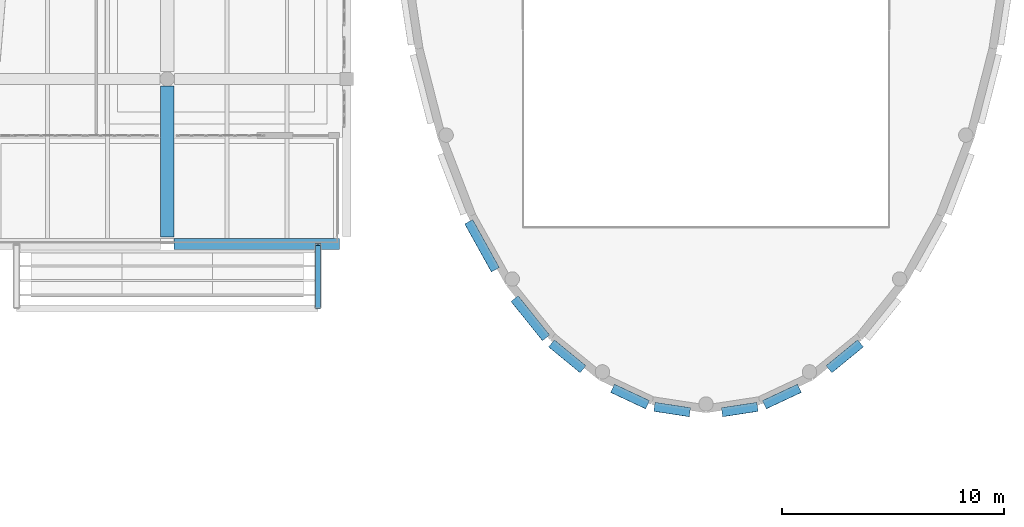
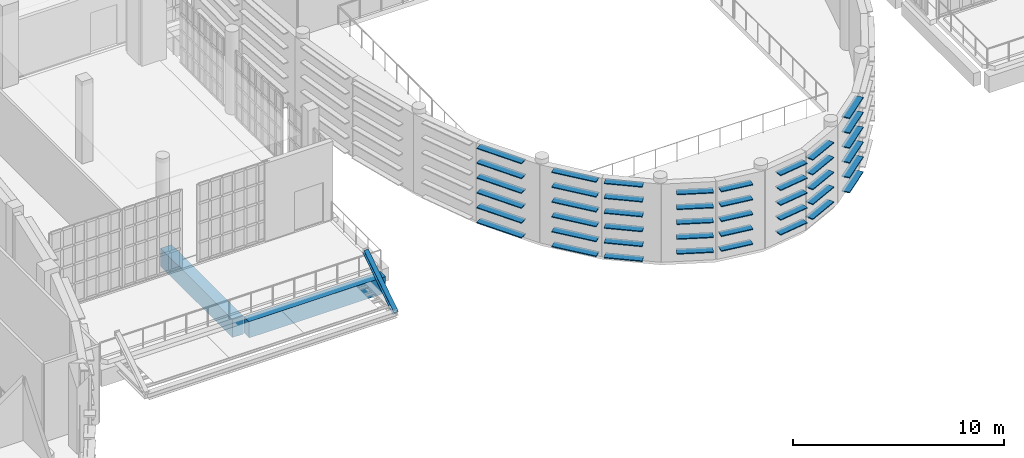
# One storey, part 22 of 104: 45 members, 2 beams.
"""IFC4 building model written with IfcOpenShell, lengths in metres."""

import ifcopenshell
import ifcopenshell.guid

model = None  # the IFC model being written
_history = None  # IfcOwnerHistory: only IFC2X3 demands one
_inside = {}  # id of a spatial element -> (the spatial element, [elements in it])
_under = {}  # id of a project, library or spatial element -> (it, [spatial elements below it])
_declared = {}  # id of a project -> (the project, [libraries it declares])
_typed = {}  # id of a type object -> (the type object, [elements of that type])
_made_of = {}  # id of a material, layer set ... -> (it, [elements and type objects made of it])


def new_model(schema):
    """Start an empty IFC model of exactly this schema.

    Asked for "IFC4X3", IfcOpenShell would pick the latest addendum, in which some entities
    have other attributes; the version numbers below select the first issue.
    IFC2X3 requires an IfcOwnerHistory on every rooted entity: one is made here for all.
    """
    global model, _history
    if schema == "IFC4X3":
        model = ifcopenshell.file(schema_version=(4, 3, 0, 0))
    else:
        model = ifcopenshell.file(schema=schema)
    _inside.clear()
    _under.clear()
    _declared.clear()
    _typed.clear()
    _made_of.clear()
    _history = None
    if model.schema == "IFC2X3":
        org = make("IfcOrganization", Name="unknown")
        user = make(
            "IfcPersonAndOrganization",
            ThePerson=make("IfcPerson", FamilyName="unknown"),
            TheOrganization=org,
        )
        app = make(
            "IfcApplication",
            ApplicationDeveloper=org,
            Version="unknown",
            ApplicationFullName="unknown",
            ApplicationIdentifier="unknown",
        )
        _history = make(
            "IfcOwnerHistory",
            OwningUser=user,
            OwningApplication=app,
            ChangeAction="ADDED",
            CreationDate=0,
        )
    return model


def make(cls, **values):
    """One entity of the class cls with the attributes given. An attribute that is None is left unset."""
    return model.create_entity(
        cls, **{name: value for name, value in values.items() if value is not None}
    )


def rooted(cls, **values):
    """An entity with a GlobalId (a new one), such as an element, a storey or a relation."""
    return make(cls, GlobalId=ifcopenshell.guid.new(), OwnerHistory=_history, **values)


def si_unit(unit_type, name, prefix=None):
    """IfcSIUnit, for example si_unit("LENGTHUNIT", "METRE", prefix="MILLI")."""
    return make("IfcSIUnit", UnitType=unit_type, Prefix=prefix, Name=name)


def assignment(units):
    """IfcUnitAssignment: the units of a project."""
    return None if units is None else make("IfcUnitAssignment", Units=units)


def point(xyz):
    """IfcCartesianPoint."""
    return None if xyz is None else make("IfcCartesianPoint", Coordinates=xyz)


def direction(xyz):
    """IfcDirection."""
    return None if xyz is None else make("IfcDirection", DirectionRatios=xyz)


def frame(location, z_axis=None, x_axis=None):
    """IfcAxis2Placement3D, a coordinate frame: its origin and axes. An axis left out is left unset."""
    return make(
        "IfcAxis2Placement3D",
        Location=point(location),
        Axis=direction(z_axis),
        RefDirection=direction(x_axis),
    )


def frame_2d(location, x_axis=None):
    """IfcAxis2Placement2D, a coordinate frame in the plane: its origin and x axis."""
    return make(
        "IfcAxis2Placement2D", Location=point(location), RefDirection=direction(x_axis)
    )


def origin():
    """The frame at (0, 0, 0) with its axes left unset."""
    return frame((0.0, 0.0, 0.0))


def origin_2d():
    """The frame at (0, 0) in the plane with its x axis left unset."""
    return frame_2d((0.0, 0.0))


def place(relative_to, where):
    """IfcLocalPlacement: puts the frame where relative to a parent placement (None: the world)."""
    return make(
        "IfcLocalPlacement", PlacementRelTo=relative_to, RelativePlacement=where
    )


def context(
    kind, dimensions, precision=None, world=None, true_north=None, identifier=None
):
    """IfcGeometricRepresentationContext, for example the 3D "Model" context."""
    return make(
        "IfcGeometricRepresentationContext",
        ContextIdentifier=identifier,
        ContextType=kind,
        CoordinateSpaceDimension=dimensions,
        Precision=precision,
        WorldCoordinateSystem=world,
        TrueNorth=true_north,
    )


def subcontext(parent, identifier, kind, view, scale=None):
    """IfcGeometricRepresentationSubContext, for example "Body" below "Model"."""
    return make(
        "IfcGeometricRepresentationSubContext",
        ContextIdentifier=identifier,
        ContextType=kind,
        ParentContext=parent,
        TargetScale=scale,
        TargetView=view,
    )


def project(units=None, contexts=None):
    """IfcProject with its units and contexts."""
    return rooted(
        "IfcProject",
        Name="project",
        RepresentationContexts=contexts,
        UnitsInContext=assignment(units),
    )


def spatial(cls, under=None, at=None, **own):
    """A site, building, storey or space (cls), placed at a placement, below another one or the project."""
    s = rooted(cls, ObjectPlacement=at, **own)
    if under is not None:
        _under.setdefault(under.id(), (under, []))[1].append(s)
    return s


def profile(cls, at=None, kind="AREA", **sizes):
    """A parametric profile (cls). Its sizes go by their IFC names, for example OverallWidth=200.0."""
    return make(cls, ProfileType=kind, Position=at, **sizes)


def rectangle(**sizes):
    """IfcRectangleProfileDef."""
    return profile("IfcRectangleProfileDef", **sizes)


def hollow_rectangle(**sizes):
    """IfcRectangleHollowProfileDef."""
    return profile("IfcRectangleHollowProfileDef", **sizes)


def i_section(**sizes):
    """IfcIShapeProfileDef."""
    return profile("IfcIShapeProfileDef", **sizes)


def extrude(swept, where, along, depth):
    """IfcExtrudedAreaSolid: the profile swept, set in the frame where, extruded along a direction by depth."""
    return make(
        "IfcExtrudedAreaSolid",
        SweptArea=swept,
        Position=where,
        ExtrudedDirection=direction(along),
        Depth=depth,
    )


def shape(context_of_items, identifier, shape_type, items):
    """IfcShapeRepresentation: the items that make up one representation, for example the "Body"."""
    return make(
        "IfcShapeRepresentation",
        ContextOfItems=context_of_items,
        RepresentationIdentifier=identifier,
        RepresentationType=shape_type,
        Items=items,
    )


def material(Name=None, Category=None):
    """IfcMaterial."""
    return make("IfcMaterial", Name=Name, Category=Category)


def material_profile(
    of_material, cross_section, Name=None, Category=None, Priority=None
):
    """IfcMaterialProfile: a cross section and its material."""
    return make(
        "IfcMaterialProfile",
        Name=Name,
        Material=of_material,
        Profile=cross_section,
        Priority=Priority,
        Category=Category,
    )


def profile_set(profiles, Name=None, composite=None):
    """IfcMaterialProfileSet."""
    return make(
        "IfcMaterialProfileSet",
        Name=Name,
        MaterialProfiles=profiles,
        CompositeProfile=composite,
    )


def made_of(thing, what):
    """Note that an element or type object is made of a material, layer set ...; save() writes the relation."""
    if what is not None:
        _made_of.setdefault(what.id(), (what, []))[1].append(thing)
    return thing


def type_object(cls, material=None, **own):
    """A type object (cls), such as IfcWallType, which elements share."""
    return made_of(rooted(cls, **own), material)


def element(
    cls,
    number,
    at=None,
    inside=None,
    cuts=None,
    type_object=None,
    material=None,
    context=None,
    identifier="Body",
    shape_type=None,
    held_by="IfcProductDefinitionShape",
    body=None,
    shapes=None,
    **own,
):
    """One element of the class cls, such as IfcWall. Its Tag is "e" and its number.

    at: its placement. inside: the storey or other place that contains it. cuts: it is an
    opening in that element (IfcRelVoidsElement). A single representation is given by context,
    identifier, shape_type and body (its items); several are given by shapes. held_by: the class
    of the entity that holds the representations. save() writes the other relations.
    """
    e = rooted(cls, Tag="e%d" % number, ObjectPlacement=at, **own)
    if body is not None:
        shapes = [shape(context, identifier, shape_type, body)]
    if shapes is not None:
        e.Representation = make(held_by, Representations=shapes)
    if inside is not None:
        _inside.setdefault(inside.id(), (inside, []))[1].append(e)
    if cuts is not None:
        rooted(
            "IfcRelVoidsElement", RelatingBuildingElement=cuts, RelatedOpeningElement=e
        )
    if type_object is not None:
        _typed.setdefault(type_object.id(), (type_object, []))[1].append(e)
    return made_of(e, material)


def aggregate(whole, parts):
    """IfcRelAggregates: a whole, such as a stair, and the parts it consists of."""
    return rooted("IfcRelAggregates", RelatingObject=whole, RelatedObjects=parts)


def save(model, path):
    """Write the relations noted so far, then the file.

    IfcRelAggregates (storeys below a building ...), IfcRelContainedInSpatialStructure (elements
    in a storey), IfcRelDefinesByType, IfcRelAssociatesMaterial and IfcRelDeclares: one each for
    every whole, place, type object, material and project.
    """
    for whole, parts in _under.values():
        aggregate(whole, parts)
    for where, things in _inside.values():
        rooted(
            "IfcRelContainedInSpatialStructure",
            RelatedElements=things,
            RelatingStructure=where,
        )
    for kind, things in _typed.values():
        rooted("IfcRelDefinesByType", RelatedObjects=things, RelatingType=kind)
    for what, things in _made_of.values():
        rooted("IfcRelAssociatesMaterial", RelatedObjects=things, RelatingMaterial=what)
    for by, libraries in _declared.values():
        rooted("IfcRelDeclares", RelatingContext=by, RelatedDefinitions=libraries)
    model.write(path)


model = new_model("IFC4")

# Units and contexts
model_context = context("Model", 3, precision=1e-05, world=origin(), true_north=direction((0.0, 1.0)))
body_context = subcontext(model_context, "Body", "Model", "MODEL_VIEW")
ifc_project = project(units=[si_unit("LENGTHUNIT", "METRE"), si_unit("AREAUNIT", "SQUARE_METRE"), si_unit("VOLUMEUNIT", "CUBIC_METRE"), si_unit("PLANEANGLEUNIT", "RADIAN"), si_unit("MASSUNIT", "GRAM", prefix="KILO")], contexts=[model_context])

# Site, building, storey
site_placement = place(None, origin())
site = spatial("IfcSite", under=ifc_project, at=site_placement, CompositionType="ELEMENT")
building_placement = place(site_placement, origin())
building = spatial("IfcBuilding", under=site, at=building_placement, Name="Kaelora Sail Theatre", CompositionType="ELEMENT")
storey_placement = place(building_placement, frame((0.0, 0.0, 5.39990234375)))
storey = spatial("IfcBuildingStorey", under=building, at=storey_placement, Name="L01", CompositionType="ELEMENT", Elevation=5.39990234375)

# Members
ifc_material_1 = material(Name="Anodised aluminium 6063-T6", Category="aluminium")
ifc_material_profile_1 = material_profile(ifc_material_1, hollow_rectangle(XDim=0.419921875, YDim=0.054931640625, WallThickness=0.00390625, InnerFilletRadius=0.00390625, OuterFilletRadius=0.008056640625, at=origin_2d()), Name="LOUVRE 420x55x4")
ifc_profile_set_1 = profile_set([ifc_material_profile_1], Name="Anodised aluminium 6063-T6")
member_type_1 = type_object("IfcMemberType", Name="ARC-MEM-LVR-420", PredefinedType="USERDEFINED", material=ifc_profile_set_1)
for number, where, z_axis, x_axis, name in (
    (1, (97.568359375, 34.21337890625, 0.150146484375), (-0.773004989186, -0.634399942223, 0.0), (0.634399942223, -0.773004989186, 0.0), "Studio Theatre Sail Drum horizontal solar louvre C8-06"),
    (2, (97.568359375, 34.21337890625, 1.010009765625), (-0.773004989186, -0.634399942223, 0.0), (0.634399942223, -0.773004989186, 0.0), "Studio Theatre Sail Drum horizontal solar louvre C8-07"),
    (3, (97.568359375, 34.21337890625, 1.8701171875), (-0.773004989186, -0.634399942223, 0.0), (0.634399942223, -0.773004989186, 0.0), "Studio Theatre Sail Drum horizontal solar louvre C8-08"),
    (4, (97.568359375, 34.21337890625, 2.72998046875), (-0.773004989186, -0.634399942223, 0.0), (0.634399942223, -0.773004989186, 0.0), "Studio Theatre Sail Drum horizontal solar louvre C8-09"),
    (5, (97.568359375, 34.21337890625, 3.590087890625), (-0.773004989186, -0.634399942223, 0.0), (0.634399942223, -0.773004989186, 0.0), "Studio Theatre Sail Drum horizontal solar louvre C8-10"),
    (6, (97.568359375, 34.21337890625, 4.4501953125), (-0.773004989186, -0.634399942223, 0.0), (0.634399942223, -0.773004989186, 0.0), "Studio Theatre Sail Drum horizontal solar louvre C8-11"),
):
    element("IfcMember", number, at=place(storey_placement, frame(where, z_axis=z_axis, x_axis=x_axis)), inside=storey, type_object=member_type_1, Name=name, ObjectType="LOUVRE", PredefinedType="USERDEFINED", context=body_context, shape_type="SweptSolid", body=[
        extrude(hollow_rectangle(XDim=0.419921875, YDim=0.054931640625, WallThickness=0.00390625, InnerFilletRadius=0.00390625, OuterFilletRadius=0.008056640625, at=origin_2d()), origin(), (0.0, 0.0, 1.0), 1.840576171875),
    ])
for number, where, z_axis, x_axis, name in (
    (7, (94.815185546875, 32.186279296875, 0.630126953125), (-0.905643423999, -0.424040078963, 0.0), (0.424040078963, -0.905643423999, 0.0), "Studio Theatre Sail Drum horizontal solar louvre C9-04"),
    (8, (94.815185546875, 32.186279296875, 1.489990234375), (-0.905643423999, -0.424040078963, 0.0), (0.424040078963, -0.905643423999, 0.0), "Studio Theatre Sail Drum horizontal solar louvre C9-05"),
    (9, (94.815185546875, 32.186279296875, 2.35009765625), (-0.905643423999, -0.424040078963, 0.0), (0.424040078963, -0.905643423999, 0.0), "Studio Theatre Sail Drum horizontal solar louvre C9-06"),
    (10, (94.815185546875, 32.186279296875, 3.210205078125), (-0.905643423999, -0.424040078963, 0.0), (0.424040078963, -0.905643423999, 0.0), "Studio Theatre Sail Drum horizontal solar louvre C9-07"),
    (11, (94.815185546875, 32.186279296875, 4.070068359375), (-0.905643423999, -0.424040078963, 0.0), (0.424040078963, -0.905643423999, 0.0), "Studio Theatre Sail Drum horizontal solar louvre C9-08"),
):
    element("IfcMember", number, at=place(storey_placement, frame(where, z_axis=z_axis, x_axis=x_axis)), inside=storey, type_object=member_type_1, Name=name, ObjectType="LOUVRE", PredefinedType="USERDEFINED", context=body_context, shape_type="SweptSolid", body=[
        extrude(hollow_rectangle(XDim=0.419921875, YDim=0.054931640625, WallThickness=0.00390625, InnerFilletRadius=0.00390625, OuterFilletRadius=0.008056640625, at=origin_2d()), origin(), (0.0, 0.0, 1.0), 1.747314453125),
    ])
for number, where, z_axis, x_axis, name in (
    (12, (92.9248046875, 31.35107421875, 0.630126953125), (-0.988605679587, -0.15052843681, 0.0), (0.15052843681, -0.988605679587, 0.0), "Studio Theatre Sail Drum horizontal solar louvre C10-04"),
    (13, (92.9248046875, 31.35107421875, 1.489990234375), (-0.988605679587, -0.15052843681, 0.0), (0.15052843681, -0.988605679587, 0.0), "Studio Theatre Sail Drum horizontal solar louvre C10-05"),
    (14, (92.9248046875, 31.35107421875, 2.35009765625), (-0.988605679587, -0.15052843681, 0.0), (0.15052843681, -0.988605679587, 0.0), "Studio Theatre Sail Drum horizontal solar louvre C10-06"),
    (15, (92.9248046875, 31.35107421875, 3.210205078125), (-0.988605679587, -0.15052843681, 0.0), (0.15052843681, -0.988605679587, 0.0), "Studio Theatre Sail Drum horizontal solar louvre C10-07"),
    (16, (92.9248046875, 31.35107421875, 4.070068359375), (-0.988605679587, -0.15052843681, 0.0), (0.15052843681, -0.988605679587, 0.0), "Studio Theatre Sail Drum horizontal solar louvre C10-08"),
    (17, (89.876953125, 31.107177734375, 0.630126953125), (-0.988605679587, 0.15052843681, 0.0), (-0.15052843681, -0.988605679587, 0.0), "Studio Theatre Sail Drum horizontal solar louvre C11-04"),
    (18, (89.876953125, 31.107177734375, 1.489990234375), (-0.988605679587, 0.15052843681, 0.0), (-0.15052843681, -0.988605679587, 0.0), "Studio Theatre Sail Drum horizontal solar louvre C11-05"),
    (19, (89.876953125, 31.107177734375, 2.35009765625), (-0.988605679587, 0.15052843681, 0.0), (-0.15052843681, -0.988605679587, 0.0), "Studio Theatre Sail Drum horizontal solar louvre C11-06"),
    (20, (89.876953125, 31.107177734375, 3.210205078125), (-0.988605679587, 0.15052843681, 0.0), (-0.15052843681, -0.988605679587, 0.0), "Studio Theatre Sail Drum horizontal solar louvre C11-07"),
    (21, (89.876953125, 31.107177734375, 4.070068359375), (-0.988605679587, 0.15052843681, 0.0), (-0.15052843681, -0.988605679587, 0.0), "Studio Theatre Sail Drum horizontal solar louvre C11-08"),
):
    element("IfcMember", number, at=place(storey_placement, frame(where, z_axis=z_axis, x_axis=x_axis)), inside=storey, type_object=member_type_1, Name=name, ObjectType="LOUVRE", PredefinedType="USERDEFINED", context=body_context, shape_type="SweptSolid", body=[
        extrude(hollow_rectangle(XDim=0.419921875, YDim=0.054931640625, WallThickness=0.00390625, InnerFilletRadius=0.00390625, OuterFilletRadius=0.008056640625, at=origin_2d()), origin(), (0.0, 0.0, 1.0), 1.620361328125),
    ])
for number, where, z_axis, x_axis, name in (
    (22, (87.96728515625, 31.4453125, 0.630126953125), (-0.905643423999, 0.424040078963, 0.0), (-0.424040078963, -0.905643423999, 0.0), "Studio Theatre Sail Drum horizontal solar louvre C12-04"),
    (23, (87.96728515625, 31.4453125, 1.489990234375), (-0.905643423999, 0.424040078963, 0.0), (-0.424040078963, -0.905643423999, 0.0), "Studio Theatre Sail Drum horizontal solar louvre C12-05"),
    (24, (87.96728515625, 31.4453125, 2.35009765625), (-0.905643423999, 0.424040078963, 0.0), (-0.424040078963, -0.905643423999, 0.0), "Studio Theatre Sail Drum horizontal solar louvre C12-06"),
    (25, (87.96728515625, 31.4453125, 3.210205078125), (-0.905643423999, 0.424040078963, 0.0), (-0.424040078963, -0.905643423999, 0.0), "Studio Theatre Sail Drum horizontal solar louvre C12-07"),
    (26, (87.96728515625, 31.4453125, 4.070068359375), (-0.905643423999, 0.424040078963, 0.0), (-0.424040078963, -0.905643423999, 0.0), "Studio Theatre Sail Drum horizontal solar louvre C12-08"),
):
    element("IfcMember", number, at=place(storey_placement, frame(where, z_axis=z_axis, x_axis=x_axis)), inside=storey, type_object=member_type_1, Name=name, ObjectType="LOUVRE", PredefinedType="USERDEFINED", context=body_context, shape_type="SweptSolid", body=[
        extrude(hollow_rectangle(XDim=0.419921875, YDim=0.054931640625, WallThickness=0.00390625, InnerFilletRadius=0.00390625, OuterFilletRadius=0.008056640625, at=origin_2d()), origin(), (0.0, 0.0, 1.0), 1.747314453125),
    ])
for number, where, z_axis, x_axis, name in (
    (27, (85.054443359375, 33.045654296875, 0.150146484375), (-0.773004989186, 0.634399942223, 0.0), (-0.634399942223, -0.773004989186, 0.0), "Studio Theatre Sail Drum horizontal solar louvre C13-06"),
    (28, (85.054443359375, 33.045654296875, 1.010009765625), (-0.773004989186, 0.634399942223, 0.0), (-0.634399942223, -0.773004989186, 0.0), "Studio Theatre Sail Drum horizontal solar louvre C13-07"),
    (29, (85.054443359375, 33.045654296875, 1.8701171875), (-0.773004989186, 0.634399942223, 0.0), (-0.634399942223, -0.773004989186, 0.0), "Studio Theatre Sail Drum horizontal solar louvre C13-08"),
    (30, (85.054443359375, 33.045654296875, 2.72998046875), (-0.773004989186, 0.634399942223, 0.0), (-0.634399942223, -0.773004989186, 0.0), "Studio Theatre Sail Drum horizontal solar louvre C13-09"),
    (31, (85.054443359375, 33.045654296875, 3.590087890625), (-0.773004989186, 0.634399942223, 0.0), (-0.634399942223, -0.773004989186, 0.0), "Studio Theatre Sail Drum horizontal solar louvre C13-10"),
    (32, (85.054443359375, 33.045654296875, 4.4501953125), (-0.773004989186, 0.634399942223, 0.0), (-0.634399942223, -0.773004989186, 0.0), "Studio Theatre Sail Drum horizontal solar louvre C13-11"),
):
    element("IfcMember", number, at=place(storey_placement, frame(where, z_axis=z_axis, x_axis=x_axis)), inside=storey, type_object=member_type_1, Name=name, ObjectType="LOUVRE", PredefinedType="USERDEFINED", context=body_context, shape_type="SweptSolid", body=[
        extrude(hollow_rectangle(XDim=0.419921875, YDim=0.054931640625, WallThickness=0.00390625, InnerFilletRadius=0.00390625, OuterFilletRadius=0.008056640625, at=origin_2d()), origin(), (0.0, 0.0, 1.0), 1.840576171875),
    ])
for number, where, z_axis, x_axis, name in (
    (33, (83.386962890625, 34.462890625, 0.150146484375), (-0.626203094841, 0.779659979742, 0.0), (-0.779659979742, -0.626203094841, 0.0), "Studio Theatre Sail Drum horizontal solar louvre C14-06"),
    (34, (83.386962890625, 34.462890625, 1.010009765625), (-0.626203094841, 0.779659979742, 0.0), (-0.779659979742, -0.626203094841, 0.0), "Studio Theatre Sail Drum horizontal solar louvre C14-07"),
    (35, (83.386962890625, 34.462890625, 1.8701171875), (-0.626203094841, 0.779659979742, 0.0), (-0.779659979742, -0.626203094841, 0.0), "Studio Theatre Sail Drum horizontal solar louvre C14-08"),
    (36, (83.386962890625, 34.462890625, 2.72998046875), (-0.626203094841, 0.779659979742, 0.0), (-0.779659979742, -0.626203094841, 0.0), "Studio Theatre Sail Drum horizontal solar louvre C14-09"),
    (37, (83.386962890625, 34.462890625, 3.590087890625), (-0.626203094841, 0.779659979742, 0.0), (-0.779659979742, -0.626203094841, 0.0), "Studio Theatre Sail Drum horizontal solar louvre C14-10"),
    (38, (83.386962890625, 34.462890625, 4.4501953125), (-0.626203094841, 0.779659979742, 0.0), (-0.779659979742, -0.626203094841, 0.0), "Studio Theatre Sail Drum horizontal solar louvre C14-11"),
):
    element("IfcMember", number, at=place(storey_placement, frame(where, z_axis=z_axis, x_axis=x_axis)), inside=storey, type_object=member_type_1, Name=name, ObjectType="LOUVRE", PredefinedType="USERDEFINED", context=body_context, shape_type="SweptSolid", body=[
        extrude(hollow_rectangle(XDim=0.419921875, YDim=0.054931640625, WallThickness=0.00390625, InnerFilletRadius=0.00390625, OuterFilletRadius=0.008056640625, at=origin_2d()), origin(), (0.0, 0.0, 1.0), 2.268798828125),
    ])
for number, where, z_axis, x_axis, name in (
    (39, (81.1025390625, 37.533203125, 0.150146484375), (-0.485852103854, 0.874041036325, 0.0), (-0.874041036325, -0.485852103854, 0.0), "Studio Theatre Sail Drum horizontal solar louvre C15-06"),
    (40, (81.1025390625, 37.533203125, 1.010009765625), (-0.485852103854, 0.874041036325, 0.0), (-0.874041036325, -0.485852103854, 0.0), "Studio Theatre Sail Drum horizontal solar louvre C15-07"),
    (41, (81.1025390625, 37.533203125, 1.8701171875), (-0.485852103854, 0.874041036325, 0.0), (-0.874041036325, -0.485852103854, 0.0), "Studio Theatre Sail Drum horizontal solar louvre C15-08"),
    (42, (81.1025390625, 37.533203125, 2.72998046875), (-0.485852103854, 0.874041036325, 0.0), (-0.874041036325, -0.485852103854, 0.0), "Studio Theatre Sail Drum horizontal solar louvre C15-09"),
    (43, (81.1025390625, 37.533203125, 3.590087890625), (-0.485852103854, 0.874041036325, 0.0), (-0.874041036325, -0.485852103854, 0.0), "Studio Theatre Sail Drum horizontal solar louvre C15-10"),
    (44, (81.1025390625, 37.533203125, 4.4501953125), (-0.485852103854, 0.874041036325, 0.0), (-0.874041036325, -0.485852103854, 0.0), "Studio Theatre Sail Drum horizontal solar louvre C15-11"),
):
    element("IfcMember", number, at=place(storey_placement, frame(where, z_axis=z_axis, x_axis=x_axis)), inside=storey, type_object=member_type_1, Name=name, ObjectType="LOUVRE", PredefinedType="USERDEFINED", context=body_context, shape_type="SweptSolid", body=[
        extrude(hollow_rectangle(XDim=0.419921875, YDim=0.054931640625, WallThickness=0.00390625, InnerFilletRadius=0.00390625, OuterFilletRadius=0.008056640625, at=origin_2d()), origin(), (0.0, 0.0, 1.0), 2.477294921875),
    ])

# Beams
ifc_material_2 = material(Name="Concrete C45/55", Category="concrete")
ifc_material_profile_2 = material_profile(ifc_material_2, rectangle(XDim=0.5, YDim=0.949951171875, at=origin_2d()), Name="RC-GRD 500x950")
ifc_profile_set_2 = profile_set([ifc_material_profile_2], Name="Concrete C45/55")
beam_type_1 = type_object("IfcBeamType", Name="STR-BM-GR-RC5095", PredefinedType="T_BEAM", material=ifc_profile_set_2)
beam_1_placement = place(storey_placement, frame((66.60009765625, 38.699951171875, -0.77001953125), z_axis=(1.0, 0.0, 0.0), x_axis=(0.0, 1.0, 0.0)))
element("IfcBeam", 45, at=beam_1_placement, inside=storey, type_object=beam_type_1, Name="Primary beam F 9-10 (L01)", PredefinedType="T_BEAM", context=body_context, shape_type="SweptSolid", body=[
    extrude(rectangle(XDim=0.5, YDim=0.949951171875, at=origin_2d()), origin(), (0.0, 0.0, 1.0), 7.474853515625),
])
ifc_material_3 = material(Name="Concrete C50/60", Category="concrete")
ifc_material_profile_3 = material_profile(ifc_material_3, rectangle(XDim=0.60009765625, YDim=1.050048828125, at=origin_2d()), Name="RC-GRD 600x1050")
ifc_profile_set_3 = profile_set([ifc_material_profile_3], Name="Concrete C50/60")
beam_type_2 = type_object("IfcBeamType", Name="STR-BM-GR-RC6105", PredefinedType="T_BEAM", material=ifc_profile_set_3)
beam_2_placement = place(storey_placement, frame((66.300048828125, 39.0, -0.81982421875), z_axis=(0.0, 1.0, 0.0), x_axis=(-1.0, 0.0, 0.0)))
element("IfcBeam", 46, at=beam_2_placement, inside=storey, type_object=beam_type_2, Name="Primary beam 9 F-G (L01)", PredefinedType="T_BEAM", context=body_context, shape_type="SweptSolid", body=[
    extrude(rectangle(XDim=0.60009765625, YDim=1.050048828125, at=origin_2d()), origin(), (0.0, 0.0, 1.0), 6.81494140625),
])

# Member
ifc_material_4 = material(Name="Steel S355", Category="steel")
ifc_material_profile_4 = material_profile(ifc_material_4, i_section(OverallWidth=0.239990234375, OverallDepth=0.22998046875, WebThickness=0.007568359375, FlangeThickness=0.011962890625, FilletRadius=0.02099609375, at=origin_2d()), Name="HEA 240")
ifc_profile_set_4 = profile_set([ifc_material_profile_4], Name="Steel S355")
member_type_2 = type_object("IfcMemberType", Name="STR-MEM-CN-HEA240", PredefinedType="STRUT", material=ifc_profile_set_4)
member_placement = place(storey_placement, frame((73.10009765625, 38.679931640625, 1.400146484375), z_axis=(0.0, -0.836941922173, -0.547291712809), x_axis=(1.0, 0.0, 0.0)))
element("IfcMember", 47, at=member_placement, inside=storey, type_object=member_type_2, Name="Entrance canopy inclined hanger tie E", PredefinedType="STRUT", context=body_context, shape_type="SweptSolid", body=[
    extrude(i_section(OverallWidth=0.239990234375, OverallDepth=0.22998046875, WebThickness=0.007568359375, FlangeThickness=0.011962890625, FilletRadius=0.02099609375, at=origin_2d()), origin(), (0.0, 0.0, 1.0), 3.4169921875),
])

save(model, "model.ifc")
